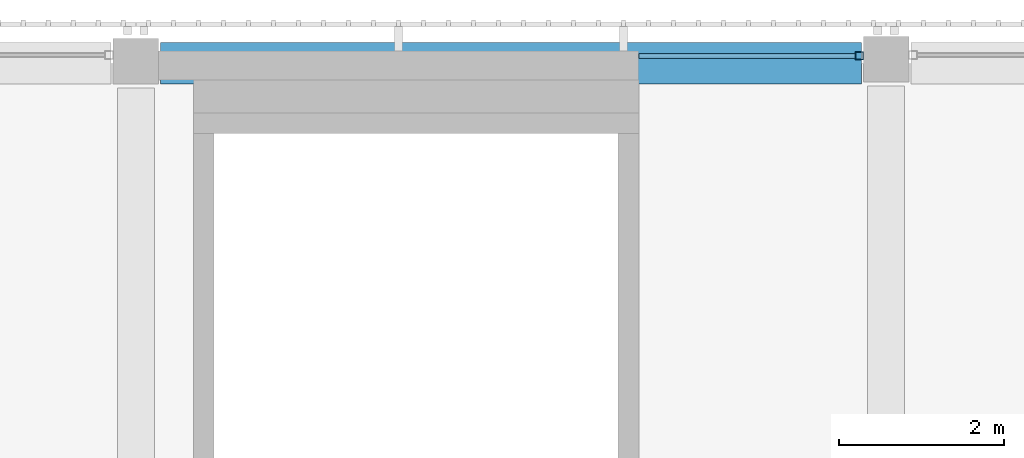
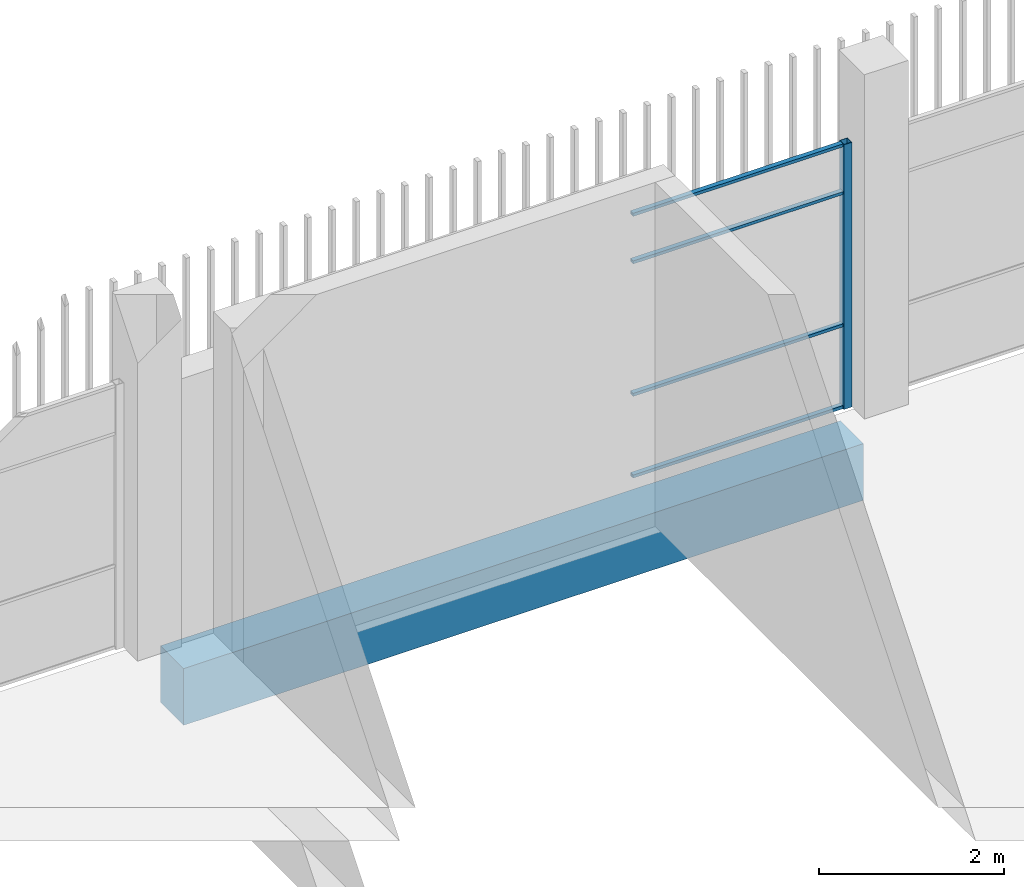
# One storey, part 28 of 104: 5 members, 1 beam, 1 element without a shape of its own.
"""IFC4 building model written with IfcOpenShell, lengths in metres."""

from ifc_helpers import new_model, si_unit, direction, frame, origin, origin_2d, place, context, subcontext, project, spatial, rectangle, hollow_rectangle, extrude, material, layer, layer_set, material_profile, profile_set, type_object, element, aggregate, save


model = new_model("IFC4")

# Units and contexts
model_context = context("Model", 3, precision=1e-05, world=origin(), true_north=direction((0.0, 1.0)))
body_context = subcontext(model_context, "Body", "Model", "MODEL_VIEW")
ifc_project = project(units=[si_unit("LENGTHUNIT", "METRE"), si_unit("AREAUNIT", "SQUARE_METRE"), si_unit("VOLUMEUNIT", "CUBIC_METRE"), si_unit("PLANEANGLEUNIT", "RADIAN"), si_unit("MASSUNIT", "GRAM", prefix="KILO")], contexts=[model_context])

# Site, building, storey
site_placement = place(None, origin())
site = spatial("IfcSite", under=ifc_project, at=site_placement, CompositionType="ELEMENT")
building_placement = place(site_placement, origin())
building = spatial("IfcBuilding", under=site, at=building_placement, Name="Shirokan Park Arena", CompositionType="ELEMENT")
storey_placement = place(building_placement, frame((0.0, 0.0, 10.919921875)))
storey = spatial("IfcBuildingStorey", under=building, at=storey_placement, Name="L02", CompositionType="ELEMENT", Elevation=10.919921875)

# Curtain wall, member
ifc_material_1 = material(Name="Steel and glass curtain wall", Category="steel")
ifc_layer = layer(ifc_material_1, 0.1201171875)
ifc_layer_set = layer_set([ifc_layer], Name="Steel and glass curtain wall 120 mm")
curtain_wall_type = type_object("IfcCurtainWallType", Name="Curtain wall corner block side bay 120", PredefinedType="NOTDEFINED", material=ifc_layer_set)
curtain_wall_placement = place(storey_placement, origin())
curtain_wall = element("IfcCurtainWall", 1, at=curtain_wall_placement, inside=storey, type_object=curtain_wall_type, Name="Curtain wall north bay 10 L02", PredefinedType="NOTDEFINED")
ifc_material_2 = material(Name="Steel S355", Category="steel")
ifc_material_profile_1 = material_profile(ifc_material_2, hollow_rectangle(XDim=0.10009765625, YDim=0.10009765625, WallThickness=0.006103515625, at=origin_2d()), Name="RHS 100x100x6")
ifc_profile_set_1 = profile_set([ifc_material_profile_1], Name="Steel S355")
member_type_1 = type_object("IfcMemberType", Name="Mullion RHS 100x100x6", PredefinedType="MULLION", material=ifc_profile_set_1)
member_1_placement = place(storey_placement, frame((63.375, 109.2900390625, 0.0), z_axis=(0.0, 0.0, 1.0), x_axis=(0.0, -1.0, 0.0)))
member_1 = element("IfcMember", 2, at=member_1_placement, type_object=member_type_1, Name="CW3 mullion 1", PredefinedType="MULLION", context=body_context, shape_type="SweptSolid", body=[
    extrude(hollow_rectangle(XDim=0.10009765625, YDim=0.10009765625, WallThickness=0.006103515625, at=origin_2d()), origin(), (0.0, 0.0, 1.0), 3.5),
])

# Beam
ifc_material_3 = material(Name="Concrete C35", Category="concrete")
ifc_material_profile_2 = material_profile(ifc_material_3, rectangle(XDim=0.5, YDim=0.75, at=origin_2d()), Name="500x750")
ifc_profile_set_2 = profile_set([ifc_material_profile_2], Name="Concrete C35")
beam_type = type_object("IfcBeamType", Name="RC girder 500x750", PredefinedType="BEAM", material=ifc_profile_set_2)
beam_placement = place(storey_placement, frame((54.900146484375, 109.199951171875, -0.6748046875), z_axis=(1.0, 0.0, 0.0), x_axis=(0.0, 1.0, 0.0)))
element("IfcBeam", 3, at=beam_placement, inside=storey, type_object=beam_type, Name="Girder 7N-8N L02", PredefinedType="BEAM", context=body_context, shape_type="SweptSolid", body=[
    extrude(rectangle(XDim=0.5, YDim=0.75, at=origin_2d()), origin(), (0.0, 0.0, 1.0), 8.499755859375),
])

# Member
ifc_material_profile_3 = material_profile(ifc_material_2, hollow_rectangle(XDim=0.06005859375, YDim=0.0400390625, WallThickness=0.00390625, at=origin_2d()), Name="RHS 60x40x4")
ifc_profile_set_3 = profile_set([ifc_material_profile_3], Name="Steel S355")
member_type_2 = type_object("IfcMemberType", Name="Transom RHS 60x40x4", PredefinedType="MULLION", material=ifc_profile_set_3)
member_2_placement = place(storey_placement, frame((63.324951171875, 109.2900390625, 0.02001953125), z_axis=(-1.0, 0.0, 0.0), x_axis=(0.0, -1.0, 0.0)))
member_2 = element("IfcMember", 4, at=member_2_placement, type_object=member_type_2, Name="CW3 transom 1.1", PredefinedType="MULLION", context=body_context, shape_type="SweptSolid", body=[
    extrude(hollow_rectangle(XDim=0.06005859375, YDim=0.0400390625, WallThickness=0.00390625, at=origin_2d()), origin(), (0.0, 0.0, 1.0), 2.625),
])

member_3_placement = place(storey_placement, frame((63.324951171875, 109.2900390625, 1.10009765625), z_axis=(-1.0, 0.0, 0.0), x_axis=(0.0, -1.0, 0.0)))
member_3 = element("IfcMember", 5, at=member_3_placement, type_object=member_type_2, Name="CW3 transom 1.2", PredefinedType="MULLION", context=body_context, shape_type="SweptSolid", body=[
    extrude(hollow_rectangle(XDim=0.06005859375, YDim=0.0400390625, WallThickness=0.00390625, at=origin_2d()), origin(), (0.0, 0.0, 1.0), 2.625),
])

member_4_placement = place(storey_placement, frame((63.324951171875, 109.2900390625, 2.85009765625), z_axis=(-1.0, 0.0, 0.0), x_axis=(0.0, -1.0, 0.0)))
member_4 = element("IfcMember", 6, at=member_4_placement, type_object=member_type_2, Name="CW3 transom 1.3", PredefinedType="MULLION", context=body_context, shape_type="SweptSolid", body=[
    extrude(hollow_rectangle(XDim=0.06005859375, YDim=0.0400390625, WallThickness=0.00390625, at=origin_2d()), origin(), (0.0, 0.0, 1.0), 2.625),
])

member_5_placement = place(storey_placement, frame((63.324951171875, 109.2900390625, 3.47998046875), z_axis=(-1.0, 0.0, 0.0), x_axis=(0.0, -1.0, 0.0)))
member_5 = element("IfcMember", 7, at=member_5_placement, type_object=member_type_2, Name="CW3 transom 1.4", PredefinedType="MULLION", context=body_context, shape_type="SweptSolid", body=[
    extrude(hollow_rectangle(XDim=0.06005859375, YDim=0.0400390625, WallThickness=0.00390625, at=origin_2d()), origin(), (0.0, 0.0, 1.0), 2.625),
])

aggregate(curtain_wall, [member_1, member_2, member_3, member_4, member_5])

save(model, "model.ifc")
